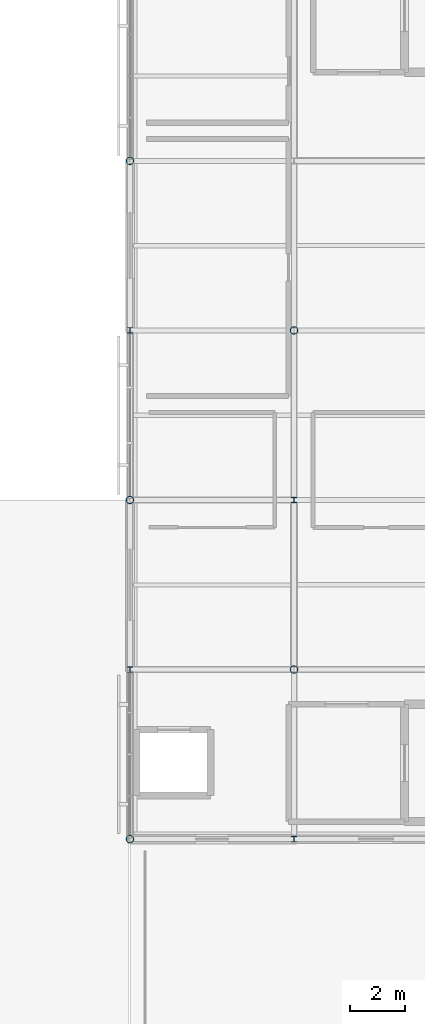
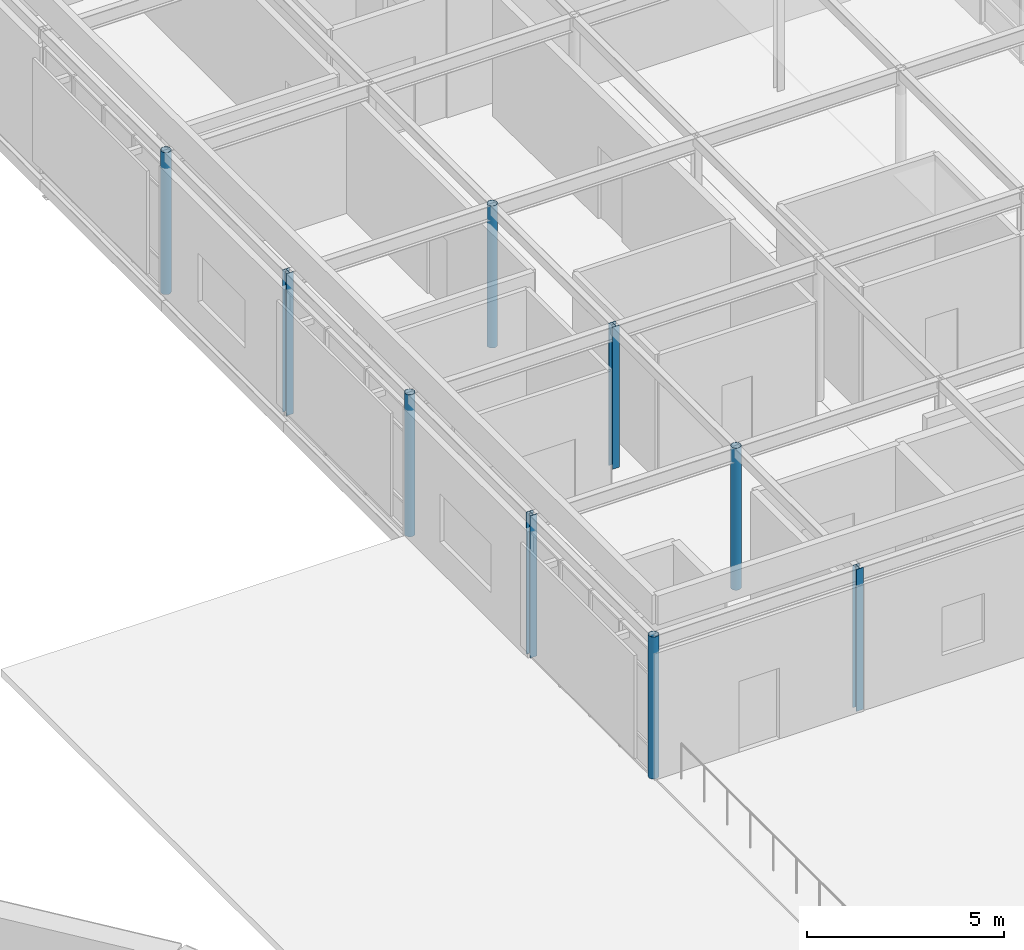
# One storey, part 1 of 16: 9 columns.
"""IFC4 building model written with IfcOpenShell, lengths in metres."""

from ifc_helpers import new_model, si_unit, direction, frame, origin, origin_2d, place, context, subcontext, project, spatial, hollow_circle, i_section, extrude, material, material_profile, profile_set, type_object, element, save


model = new_model("IFC4")

# Units and contexts
model_context = context("Model", 3, precision=1e-05, world=origin(), true_north=direction((0.0, 1.0)))
body_context = subcontext(model_context, "Body", "Model", "MODEL_VIEW")
ifc_project = project(units=[si_unit("LENGTHUNIT", "METRE"), si_unit("AREAUNIT", "SQUARE_METRE"), si_unit("VOLUMEUNIT", "CUBIC_METRE"), si_unit("PLANEANGLEUNIT", "RADIAN"), si_unit("MASSUNIT", "GRAM", prefix="KILO")], contexts=[model_context])

# Site, building, storey
site_placement = place(None, origin())
site = spatial("IfcSite", under=ifc_project, at=site_placement, CompositionType="ELEMENT")
building_placement = place(site_placement, origin())
building = spatial("IfcBuilding", under=site, at=building_placement, Name="Mirzam Square Science Centre", CompositionType="ELEMENT")
storey_placement = place(building_placement, frame((0.0, 0.0, 25.199951171875)))
storey = spatial("IfcBuildingStorey", under=building, at=storey_placement, Name="L05", CompositionType="ELEMENT", Elevation=25.199951171875)

# Columns
ifc_material = material(Name="Steel S355", Category="steel")
ifc_material_profile_1 = material_profile(ifc_material, hollow_circle(Radius=0.136474609375, WallThickness=0.010009765625, at=origin_2d()), Name="273.0x10.0CHS")
ifc_profile_set_1 = profile_set([ifc_material_profile_1], Name="Steel S355")
column_type_1 = type_object("IfcColumnType", Name="COL-CHS273", PredefinedType="COLUMN", material=ifc_profile_set_1)
for number, where, z_axis, x_axis, name in (
    (1, (114.0, 74.39990234375, 0.0), (0.0, 0.0, 1.0), (1.0, 0.0, 0.0), "L05 column G20-13"),
    (2, (114.0, 86.800048828125, 0.0), (0.0, 0.0, 1.0), (1.0, 0.0, 0.0), "L05 column G20-15"),
    (3, (114.0, 99.199951171875, 0.0), (0.0, 0.0, 1.0), (1.0, 0.0, 0.0), "L05 column G20-17"),
    (4, (120.0, 80.60009765625, 0.0), (0.0, 0.0, 1.0), (1.0, 0.0, 0.0), "L05 column G21-14"),
    (5, (120.0, 93.0, 0.0), (0.0, 0.0, 1.0), (1.0, 0.0, 0.0), "L05 column G21-16"),
):
    element("IfcColumn", number, at=place(storey_placement, frame(where, z_axis=z_axis, x_axis=x_axis)), inside=storey, type_object=column_type_1, Name=name, PredefinedType="COLUMN", context=body_context, shape_type="SweptSolid", body=[
        extrude(hollow_circle(Radius=0.136474609375, WallThickness=0.010009765625, at=origin_2d()), origin(), (0.0, 0.0, 1.0), 4.41015625),
    ])
ifc_material_profile_2 = material_profile(ifc_material, i_section(OverallWidth=0.205810546875, OverallDepth=0.209716796875, WebThickness=0.009521484375, FlangeThickness=0.01416015625, FilletRadius=0.01025390625, at=origin_2d()), Name="203x203x60UC")
ifc_profile_set_2 = profile_set([ifc_material_profile_2], Name="Steel S355")
column_type_2 = type_object("IfcColumnType", Name="COL-UC203A", PredefinedType="COLUMN", material=ifc_profile_set_2)
for number, where, z_axis, x_axis, name in (
    (6, (114.0, 80.60009765625, 0.0), (0.0, 0.0, 1.0), (1.0, 0.0, 0.0), "L05 column G20-14"),
    (7, (114.0, 93.0, 0.0), (0.0, 0.0, 1.0), (1.0, 0.0, 0.0), "L05 column G20-16"),
    (8, (120.0, 74.39990234375, 0.0), (0.0, 0.0, 1.0), (1.0, 0.0, 0.0), "L05 column G21-13"),
    (9, (120.0, 86.800048828125, 0.0), (0.0, 0.0, 1.0), (1.0, 0.0, 0.0), "L05 column G21-15"),
):
    element("IfcColumn", number, at=place(storey_placement, frame(where, z_axis=z_axis, x_axis=x_axis)), inside=storey, type_object=column_type_2, Name=name, PredefinedType="COLUMN", context=body_context, shape_type="SweptSolid", body=[
        extrude(i_section(OverallWidth=0.205810546875, OverallDepth=0.209716796875, WebThickness=0.009521484375, FlangeThickness=0.01416015625, FilletRadius=0.01025390625, at=origin_2d()), origin(), (0.0, 0.0, 1.0), 4.41015625),
    ])

save(model, "model.ifc")
